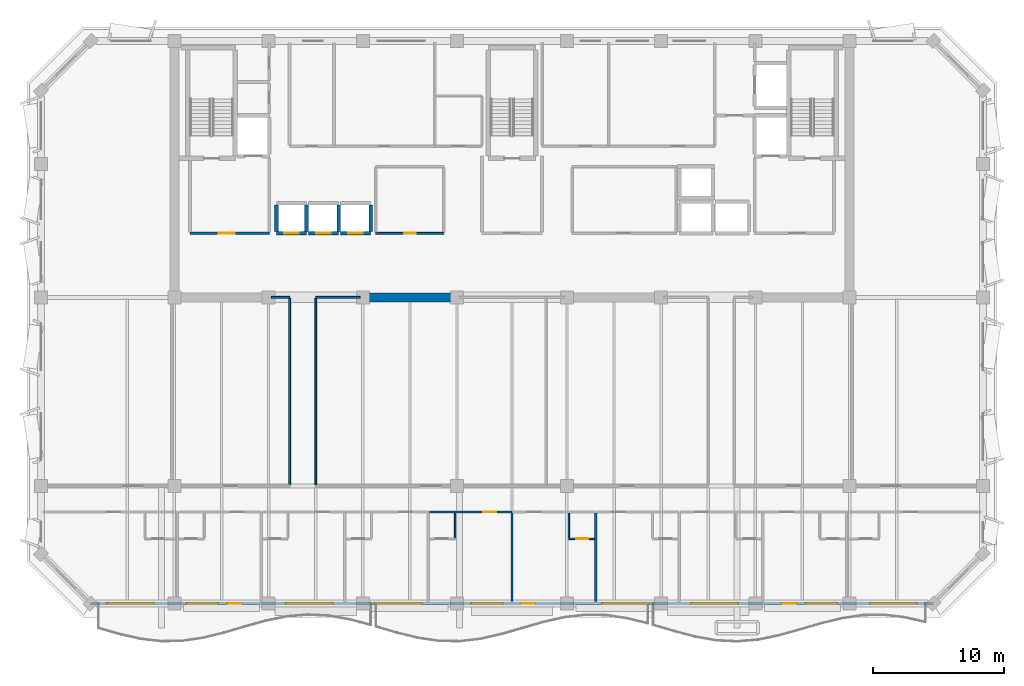
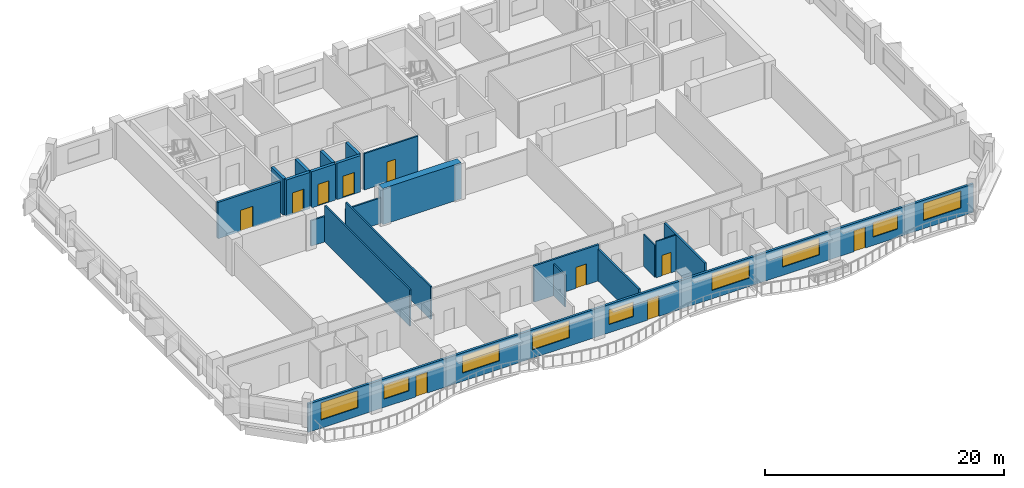
# One storey, part 4 of 11: 21 walls, 10 doors, 9 windows, 19 openings.
"""IFC4 building model written with IfcOpenShell, lengths in metres."""

from ifc_helpers import new_model, si_unit, direction, frame, frame_2d, origin, place, context, subcontext, project, spatial, rectangle, extrude, material, layer, layer_set, type_object, element, fill, save


model = new_model("IFC4")

# Units and contexts
model_context = context("Model", 3, precision=1e-05, world=origin(), true_north=direction((0.0, 1.0)))
body_context = subcontext(model_context, "Body", "Model", "MODEL_VIEW")
ifc_project = project(units=[si_unit("LENGTHUNIT", "METRE"), si_unit("AREAUNIT", "SQUARE_METRE"), si_unit("VOLUMEUNIT", "CUBIC_METRE"), si_unit("PLANEANGLEUNIT", "RADIAN"), si_unit("MASSUNIT", "GRAM", prefix="KILO")], contexts=[model_context])

# Site, building, storey
site_placement = place(None, origin())
site = spatial("IfcSite", under=ifc_project, at=site_placement, CompositionType="ELEMENT")
building_placement = place(site_placement, origin())
building = spatial("IfcBuilding", under=site, at=building_placement, Name="Kaelvorn Grand Hotel", CompositionType="ELEMENT")
storey_placement = place(building_placement, frame((0.0, 0.0, 241.0)))
storey = spatial("IfcBuildingStorey", under=building, at=storey_placement, Name="L59", CompositionType="ELEMENT", Elevation=241.0)

# Wall
ifc_material_1 = material(Name="Concrete C50/60", Category="concrete")
ifc_layer_1 = layer(ifc_material_1, 0.699951171875)
ifc_layer_set_1 = layer_set([ifc_layer_1], Name="Concrete C50/60")
wall_type_1 = type_object("IfcWallType", Name="WL-CORE-700-C50", PredefinedType="SHEAR", material=ifc_layer_set_1)
wall_1_placement = place(storey_placement, frame((30.39990234375, 29.39990234375, 0.0), z_axis=(0.0, 0.0, 1.0), x_axis=(1.0, 0.0, 0.0)))
element("IfcWall", 1, at=wall_1_placement, inside=storey, type_object=wall_type_1, Name="L59 Rear-Core Coupled Shear Pier S2", PredefinedType="SHEAR", context=body_context, shape_type="SweptSolid", body=[
    extrude(rectangle(XDim=7.60009765625, YDim=0.699951171875, at=frame_2d((3.800048828125, 0.0))), origin(), (0.0, 0.0, 1.0), 3.7099609375),
])

# Wall, openings, doors, windows
ifc_material_2 = material(Name="Concrete C40/50", Category="concrete")
ifc_layer_2 = layer(ifc_material_2, 0.219970703125)
ifc_layer_set_2 = layer_set([ifc_layer_2], Name="Concrete C40/50")
wall_type_2 = type_object("IfcWallType", Name="WL-EXT-220-C40", PredefinedType="SOLIDWALL", material=ifc_layer_set_2)
wall_2_placement = place(storey_placement, frame((9.800048828125, 6.0, 0.0), z_axis=(0.0, 0.0, 1.0), x_axis=(1.0, 0.0, 0.0)))
wall_2 = element("IfcWall", 2, at=wall_2_placement, inside=storey, type_object=wall_type_2, Name="L59 Exterior Architectural Concrete Wall 01", PredefinedType="SOLIDWALL", context=body_context, shape_type="SweptSolid", body=[
    extrude(rectangle(XDim=64.39990234375, YDim=0.219970703125, at=frame_2d((32.199951171875, 0.0))), origin(), (0.0, 0.0, 1.0), 2.909912109375),
])
opening_1_placement = place(wall_2_placement, frame((10.449951171875, 0.0, 0.0)))
opening_1 = element("IfcOpeningElement", 3, at=opening_1_placement, cuts=wall_2, Name="Opening DE2", PredefinedType="OPENING", context=body_context, shape_type="SweptSolid", body=[
    extrude(rectangle(XDim=1.10009765625, YDim=2.14990234375, at=frame_2d((0.550048828125, 1.074951171875))), frame((0.0, 0.1201171875, 0.0), z_axis=(0.0, -1.0, 0.0), x_axis=(1.0, 0.0, 0.0)), (0.0, 0.0, 1.0), 0.239990234375),
])
opening_2_placement = place(wall_2_placement, frame((32.85009765625, 0.0, 0.0)))
opening_2 = element("IfcOpeningElement", 4, at=opening_2_placement, cuts=wall_2, Name="Opening DE2", PredefinedType="OPENING", context=body_context, shape_type="SweptSolid", body=[
    extrude(rectangle(XDim=1.10009765625, YDim=2.14990234375, at=frame_2d((0.550048828125, 1.074951171875))), frame((0.0, 0.1201171875, 0.0), z_axis=(0.0, -1.0, 0.0), x_axis=(1.0, 0.0, 0.0)), (0.0, 0.0, 1.0), 0.239990234375),
])
opening_3_placement = place(wall_2_placement, frame((52.85009765625, 0.0, 0.0)))
opening_3 = element("IfcOpeningElement", 5, at=opening_3_placement, cuts=wall_2, Name="Opening DE2", PredefinedType="OPENING", context=body_context, shape_type="SweptSolid", body=[
    extrude(rectangle(XDim=1.10009765625, YDim=2.14990234375, at=frame_2d((0.550048828125, 1.074951171875))), frame((0.0, 0.1201171875, 0.0), z_axis=(0.0, -1.0, 0.0), x_axis=(1.0, 0.0, 0.0)), (0.0, 0.0, 1.0), 0.239990234375),
])
opening_4_placement = place(wall_2_placement, frame((1.235107421875, 0.0, 0.85009765625)))
opening_4 = element("IfcOpeningElement", 6, at=opening_4_placement, cuts=wall_2, Name="Opening W3", PredefinedType="OPENING", context=body_context, shape_type="SweptSolid", body=[
    extrude(rectangle(XDim=3.60009765625, YDim=1.75, at=frame_2d((1.800048828125, 0.875))), frame((0.0, 0.1201171875, 0.0), z_axis=(0.0, -1.0, 0.0), x_axis=(1.0, 0.0, 0.0)), (0.0, 0.0, 1.0), 0.239990234375),
])
opening_5_placement = place(wall_2_placement, frame((7.340087890625, 0.0, 0.85009765625)))
opening_5 = element("IfcOpeningElement", 7, at=opening_5_placement, cuts=wall_2, Name="Opening W6", PredefinedType="OPENING", context=body_context, shape_type="SweptSolid", body=[
    extrude(rectangle(XDim=2.39990234375, YDim=1.5, at=frame_2d((1.199951171875, 0.75))), frame((0.0, 0.1201171875, 0.0), z_axis=(0.0, -1.0, 0.0), x_axis=(1.0, 0.0, 0.0)), (0.0, 0.0, 1.0), 0.239990234375),
])
opening_6_placement = place(wall_2_placement, frame((14.909912109375, 0.0, 0.85009765625)))
opening_6 = element("IfcOpeningElement", 8, at=opening_6_placement, cuts=wall_2, Name="Opening W3", PredefinedType="OPENING", context=body_context, shape_type="SweptSolid", body=[
    extrude(rectangle(XDim=3.60009765625, YDim=1.75, at=frame_2d((1.800048828125, 0.875))), frame((0.0, 0.1201171875, 0.0), z_axis=(0.0, -1.0, 0.0), x_axis=(1.0, 0.0, 0.0)), (0.0, 0.0, 1.0), 0.239990234375),
])
opening_7_placement = place(wall_2_placement, frame((21.705078125, 0.0, 0.85009765625)))
opening_7 = element("IfcOpeningElement", 9, at=opening_7_placement, cuts=wall_2, Name="Opening W3", PredefinedType="OPENING", context=body_context, shape_type="SweptSolid", body=[
    extrude(rectangle(XDim=3.60009765625, YDim=1.75, at=frame_2d((1.800048828125, 0.875))), frame((0.0, 0.1201171875, 0.0), z_axis=(0.0, -1.0, 0.0), x_axis=(1.0, 0.0, 0.0)), (0.0, 0.0, 1.0), 0.239990234375),
])
opening_8_placement = place(wall_2_placement, frame((29.10009765625, 0.0, 0.85009765625)))
opening_8 = element("IfcOpeningElement", 10, at=opening_8_placement, cuts=wall_2, Name="Opening W6", PredefinedType="OPENING", context=body_context, shape_type="SweptSolid", body=[
    extrude(rectangle(XDim=2.39990234375, YDim=1.5, at=frame_2d((1.199951171875, 0.75))), frame((0.0, 0.1201171875, 0.0), z_axis=(0.0, -1.0, 0.0), x_axis=(1.0, 0.0, 0.0)), (0.0, 0.0, 1.0), 0.239990234375),
])
opening_9_placement = place(wall_2_placement, frame((39.094970703125, 0.0, 0.85009765625)))
opening_9 = element("IfcOpeningElement", 11, at=opening_9_placement, cuts=wall_2, Name="Opening W3", PredefinedType="OPENING", context=body_context, shape_type="SweptSolid", body=[
    extrude(rectangle(XDim=3.60009765625, YDim=1.75, at=frame_2d((1.800048828125, 0.875))), frame((0.0, 0.1201171875, 0.0), z_axis=(0.0, -1.0, 0.0), x_axis=(1.0, 0.0, 0.0)), (0.0, 0.0, 1.0), 0.239990234375),
])
opening_10_placement = place(wall_2_placement, frame((45.889892578125, 0.0, 0.85009765625)))
opening_10 = element("IfcOpeningElement", 12, at=opening_10_placement, cuts=wall_2, Name="Opening W3", PredefinedType="OPENING", context=body_context, shape_type="SweptSolid", body=[
    extrude(rectangle(XDim=3.60009765625, YDim=1.75, at=frame_2d((1.800048828125, 0.875))), frame((0.0, 0.1201171875, 0.0), z_axis=(0.0, -1.0, 0.0), x_axis=(1.0, 0.0, 0.0)), (0.0, 0.0, 1.0), 0.239990234375),
])
opening_11_placement = place(wall_2_placement, frame((54.659912109375, 0.0, 0.85009765625)))
opening_11 = element("IfcOpeningElement", 13, at=opening_11_placement, cuts=wall_2, Name="Opening W6", PredefinedType="OPENING", context=body_context, shape_type="SweptSolid", body=[
    extrude(rectangle(XDim=2.39990234375, YDim=1.5, at=frame_2d((1.199951171875, 0.75))), frame((0.0, 0.1201171875, 0.0), z_axis=(0.0, -1.0, 0.0), x_axis=(1.0, 0.0, 0.0)), (0.0, 0.0, 1.0), 0.239990234375),
])
opening_12_placement = place(wall_2_placement, frame((59.56494140625, 0.0, 0.85009765625)))
opening_12 = element("IfcOpeningElement", 14, at=opening_12_placement, cuts=wall_2, Name="Opening W3", PredefinedType="OPENING", context=body_context, shape_type="SweptSolid", body=[
    extrude(rectangle(XDim=3.60009765625, YDim=1.75, at=frame_2d((1.800048828125, 0.875))), frame((0.0, 0.1201171875, 0.0), z_axis=(0.0, -1.0, 0.0), x_axis=(1.0, 0.0, 0.0)), (0.0, 0.0, 1.0), 0.239990234375),
])
ifc_material_3 = material(Name="Anodised Aluminium", Category="aluminium")
door_type_1 = type_object("IfcDoorType", Name="DR-EXT-BALC-1100x2150", OperationType="NOTDEFINED", PredefinedType="DOOR", material=ifc_material_3)
door_1_placement = place(opening_1_placement, origin())
door_1 = element("IfcDoor", 15, at=door_1_placement, inside=storey, type_object=door_type_1, Name="L59 Scalloped Balcony Glazed Door DE2-1", OperationType="SINGLE_SWING_RIGHT", OverallHeight=2.14990234375, OverallWidth=1.10009765625, PredefinedType="DOOR", context=body_context, shape_type="SweptSolid", body=[
    extrude(rectangle(XDim=1.10009765625, YDim=2.14990234375, at=frame_2d((0.550048828125, 1.074951171875))), frame((0.0, 0.02490234375, 0.0), z_axis=(0.0, -1.0, 0.0), x_axis=(1.0, 0.0, 0.0)), (0.0, 0.0, 1.0), 0.050048828125),
])
fill(opening_1, door_1)
door_2_placement = place(opening_2_placement, origin())
door_2 = element("IfcDoor", 16, at=door_2_placement, inside=storey, type_object=door_type_1, Name="L59 Scalloped Balcony Glazed Door DE2-2", OperationType="SINGLE_SWING_LEFT", OverallHeight=2.14990234375, OverallWidth=1.10009765625, PredefinedType="DOOR", context=body_context, shape_type="SweptSolid", body=[
    extrude(rectangle(XDim=1.10009765625, YDim=2.14990234375, at=frame_2d((0.550048828125, 1.074951171875))), frame((0.0, 0.02490234375, 0.0), z_axis=(0.0, -1.0, 0.0), x_axis=(1.0, 0.0, 0.0)), (0.0, 0.0, 1.0), 0.050048828125),
])
fill(opening_2, door_2)
door_3_placement = place(opening_3_placement, origin())
door_3 = element("IfcDoor", 17, at=door_3_placement, inside=storey, type_object=door_type_1, Name="L59 Scalloped Balcony Glazed Door DE2-3", OperationType="SINGLE_SWING_RIGHT", OverallHeight=2.14990234375, OverallWidth=1.10009765625, PredefinedType="DOOR", context=body_context, shape_type="SweptSolid", body=[
    extrude(rectangle(XDim=1.10009765625, YDim=2.14990234375, at=frame_2d((0.550048828125, 1.074951171875))), frame((0.0, 0.02490234375, 0.0), z_axis=(0.0, -1.0, 0.0), x_axis=(1.0, 0.0, 0.0)), (0.0, 0.0, 1.0), 0.050048828125),
])
fill(opening_3, door_3)
ifc_material_4 = material(Name="Laminated Low-E Glass", Category="glass")
window_type_1 = type_object("IfcWindowType", Name="WIN-NTH-2400x1500", PartitioningType="SINGLE_PANEL", PredefinedType="WINDOW", material=ifc_material_4)
window_1_placement = place(opening_5_placement, origin())
window_1 = element("IfcWindow", 18, at=window_1_placement, inside=storey, type_object=window_type_1, Name="L59 South Guestroom Ribbon Window SR02", OverallHeight=1.5, OverallWidth=2.39990234375, PartitioningType="SINGLE_PANEL", PredefinedType="WINDOW", context=body_context, shape_type="SweptSolid", body=[
    extrude(rectangle(XDim=2.39990234375, YDim=1.5, at=frame_2d((1.199951171875, 0.75))), frame((0.0, 0.030029296875, 0.0), z_axis=(0.0, -1.0, 0.0), x_axis=(1.0, 0.0, 0.0)), (0.0, 0.0, 1.0), 0.06005859375),
])
fill(opening_5, window_1)
window_2_placement = place(opening_8_placement, origin())
window_2 = element("IfcWindow", 19, at=window_2_placement, inside=storey, type_object=window_type_1, Name="L59 South Guestroom Ribbon Window SR05", OverallHeight=1.5, OverallWidth=2.39990234375, PartitioningType="SINGLE_PANEL", PredefinedType="WINDOW", context=body_context, shape_type="SweptSolid", body=[
    extrude(rectangle(XDim=2.39990234375, YDim=1.5, at=frame_2d((1.199951171875, 0.75))), frame((0.0, 0.030029296875, 0.0), z_axis=(0.0, -1.0, 0.0), x_axis=(1.0, 0.0, 0.0)), (0.0, 0.0, 1.0), 0.06005859375),
])
fill(opening_8, window_2)
window_3_placement = place(opening_11_placement, origin())
window_3 = element("IfcWindow", 20, at=window_3_placement, inside=storey, type_object=window_type_1, Name="L59 South Guestroom Ribbon Window SR08", OverallHeight=1.5, OverallWidth=2.39990234375, PartitioningType="SINGLE_PANEL", PredefinedType="WINDOW", context=body_context, shape_type="SweptSolid", body=[
    extrude(rectangle(XDim=2.39990234375, YDim=1.5, at=frame_2d((1.199951171875, 0.75))), frame((0.0, 0.030029296875, 0.0), z_axis=(0.0, -1.0, 0.0), x_axis=(1.0, 0.0, 0.0)), (0.0, 0.0, 1.0), 0.06005859375),
])
fill(opening_11, window_3)
window_type_2 = type_object("IfcWindowType", Name="WIN-RIB-3600x1750", PartitioningType="SINGLE_PANEL", PredefinedType="WINDOW", material=ifc_material_4)
window_4_placement = place(opening_4_placement, origin())
window_4 = element("IfcWindow", 21, at=window_4_placement, inside=storey, type_object=window_type_2, Name="L59 South Guestroom Ribbon Window SR01", OverallHeight=1.75, OverallWidth=3.60009765625, PartitioningType="SINGLE_PANEL", PredefinedType="WINDOW", context=body_context, shape_type="SweptSolid", body=[
    extrude(rectangle(XDim=3.60009765625, YDim=1.75, at=frame_2d((1.800048828125, 0.875))), frame((0.0, 0.030029296875, 0.0), z_axis=(0.0, -1.0, 0.0), x_axis=(1.0, 0.0, 0.0)), (0.0, 0.0, 1.0), 0.06005859375),
])
fill(opening_4, window_4)
window_5_placement = place(opening_6_placement, origin())
window_5 = element("IfcWindow", 22, at=window_5_placement, inside=storey, type_object=window_type_2, Name="L59 South Guestroom Ribbon Window SR03", OverallHeight=1.75, OverallWidth=3.60009765625, PartitioningType="SINGLE_PANEL", PredefinedType="WINDOW", context=body_context, shape_type="SweptSolid", body=[
    extrude(rectangle(XDim=3.60009765625, YDim=1.75, at=frame_2d((1.800048828125, 0.875))), frame((0.0, 0.030029296875, 0.0), z_axis=(0.0, -1.0, 0.0), x_axis=(1.0, 0.0, 0.0)), (0.0, 0.0, 1.0), 0.06005859375),
])
fill(opening_6, window_5)
window_6_placement = place(opening_7_placement, origin())
window_6 = element("IfcWindow", 23, at=window_6_placement, inside=storey, type_object=window_type_2, Name="L59 South Guestroom Ribbon Window SR04", OverallHeight=1.75, OverallWidth=3.60009765625, PartitioningType="SINGLE_PANEL", PredefinedType="WINDOW", context=body_context, shape_type="SweptSolid", body=[
    extrude(rectangle(XDim=3.60009765625, YDim=1.75, at=frame_2d((1.800048828125, 0.875))), frame((0.0, 0.030029296875, 0.0), z_axis=(0.0, -1.0, 0.0), x_axis=(1.0, 0.0, 0.0)), (0.0, 0.0, 1.0), 0.06005859375),
])
fill(opening_7, window_6)
window_7_placement = place(opening_9_placement, origin())
window_7 = element("IfcWindow", 24, at=window_7_placement, inside=storey, type_object=window_type_2, Name="L59 South Guestroom Ribbon Window SR06", OverallHeight=1.75, OverallWidth=3.60009765625, PartitioningType="SINGLE_PANEL", PredefinedType="WINDOW", context=body_context, shape_type="SweptSolid", body=[
    extrude(rectangle(XDim=3.60009765625, YDim=1.75, at=frame_2d((1.800048828125, 0.875))), frame((0.0, 0.030029296875, 0.0), z_axis=(0.0, -1.0, 0.0), x_axis=(1.0, 0.0, 0.0)), (0.0, 0.0, 1.0), 0.06005859375),
])
fill(opening_9, window_7)
window_8_placement = place(opening_10_placement, origin())
window_8 = element("IfcWindow", 25, at=window_8_placement, inside=storey, type_object=window_type_2, Name="L59 South Guestroom Ribbon Window SR07", OverallHeight=1.75, OverallWidth=3.60009765625, PartitioningType="SINGLE_PANEL", PredefinedType="WINDOW", context=body_context, shape_type="SweptSolid", body=[
    extrude(rectangle(XDim=3.60009765625, YDim=1.75, at=frame_2d((1.800048828125, 0.875))), frame((0.0, 0.030029296875, 0.0), z_axis=(0.0, -1.0, 0.0), x_axis=(1.0, 0.0, 0.0)), (0.0, 0.0, 1.0), 0.06005859375),
])
fill(opening_10, window_8)
window_9_placement = place(opening_12_placement, origin())
window_9 = element("IfcWindow", 26, at=window_9_placement, inside=storey, type_object=window_type_2, Name="L59 South Guestroom Ribbon Window SR09", OverallHeight=1.75, OverallWidth=3.60009765625, PartitioningType="SINGLE_PANEL", PredefinedType="WINDOW", context=body_context, shape_type="SweptSolid", body=[
    extrude(rectangle(XDim=3.60009765625, YDim=1.75, at=frame_2d((1.800048828125, 0.875))), frame((0.0, 0.030029296875, 0.0), z_axis=(0.0, -1.0, 0.0), x_axis=(1.0, 0.0, 0.0)), (0.0, 0.0, 1.0), 0.06005859375),
])
fill(opening_12, window_9)

# Wall
ifc_material_5 = material(Name="Moisture-Resistant Tile & Stud Board")
ifc_layer_3 = layer(ifc_material_5, 0.125)
ifc_layer_set_3 = layer_set([ifc_layer_3], Name="Moisture-Resistant Tile & Stud Board")
wall_type_3 = type_object("IfcWallType", Name="WL-PART-125-WET", PredefinedType="PARTITIONING", material=ifc_layer_set_3)
wall_3_placement = place(storey_placement, frame((37.64990234375, 11.017578125, 0.0), z_axis=(0.0, 0.0, 1.0), x_axis=(0.0, 1.0, 0.0)))
element("IfcWall", 27, at=wall_3_placement, inside=storey, type_object=wall_type_3, Name="L59 En-suite Bathroom L59-05 E Partition", PredefinedType="PARTITIONING", context=body_context, shape_type="SweptSolid", body=[
    extrude(rectangle(XDim=1.887451171875, YDim=0.125, at=frame_2d((0.94384765625, 0.0))), origin(), (0.0, 0.0, 1.0), 3.260009765625),
])

# Wall, opening, door
wall_4_placement = place(storey_placement, frame((46.35009765625, 10.949951171875, 0.0), z_axis=(0.0, 0.0, 1.0), x_axis=(1.0, 0.0, 0.0)))
wall_4 = element("IfcWall", 28, at=wall_4_placement, inside=storey, type_object=wall_type_3, Name="L59 En-suite Bathroom L59-06 S Partition", PredefinedType="PARTITIONING", context=body_context, shape_type="SweptSolid", body=[
    extrude(rectangle(XDim=1.94482421875, YDim=0.125, at=frame_2d((0.972412109375, 0.0))), origin(), (0.0, 0.0, 1.0), 3.7099609375),
])
opening_13_placement = place(wall_4_placement, frame((0.570068359375, 0.0, 0.0)))
opening_13 = element("IfcOpeningElement", 29, at=opening_13_placement, cuts=wall_4, Name="Opening DI4", PredefinedType="OPENING", context=body_context, shape_type="SweptSolid", body=[
    extrude(rectangle(XDim=0.89990234375, YDim=2.10009765625, at=frame_2d((0.449951171875, 1.050048828125))), frame((0.0, 0.072509765625, 0.0), z_axis=(0.0, -1.0, 0.0), x_axis=(1.0, 0.0, 0.0)), (0.0, 0.0, 1.0), 0.14501953125),
])
ifc_material_6 = material(Name="Timber Veneer Leaf", Category="wood")
door_type_2 = type_object("IfcDoorType", Name="DR-INT-BATH-900x2100", OperationType="NOTDEFINED", PredefinedType="DOOR", material=ifc_material_6)
door_4_placement = place(opening_13_placement, origin())
door_4 = element("IfcDoor", 30, at=door_4_placement, inside=storey, type_object=door_type_2, Name="L59 En-suite Bathroom L59-06 Door", OperationType="SINGLE_SWING_RIGHT", OverallHeight=2.10009765625, OverallWidth=0.89990234375, PredefinedType="DOOR", context=body_context, shape_type="SweptSolid", body=[
    extrude(rectangle(XDim=0.89990234375, YDim=2.10009765625, at=frame_2d((0.449951171875, 1.050048828125))), frame((0.0, 0.02490234375, 0.0), z_axis=(0.0, -1.0, 0.0), x_axis=(1.0, 0.0, 0.0)), (0.0, 0.0, 1.0), 0.050048828125),
])
fill(opening_13, door_4)

# Wall
wall_5_placement = place(storey_placement, frame((46.35009765625, 11.017578125, 0.0), z_axis=(0.0, 0.0, 1.0), x_axis=(0.0, 1.0, 0.0)))
element("IfcWall", 31, at=wall_5_placement, inside=storey, type_object=wall_type_3, Name="L59 En-suite Bathroom L59-06 W Partition", PredefinedType="PARTITIONING", context=body_context, shape_type="SweptSolid", body=[
    extrude(rectangle(XDim=1.887451171875, YDim=0.125, at=frame_2d((0.94384765625, 0.0))), origin(), (0.0, 0.0, 1.0), 3.260009765625),
])

# Wall, opening, door
ifc_material_7 = material(Name="Acoustic Gypsum & Stud Partition")
ifc_layer_4 = layer(ifc_material_7, 0.14990234375)
ifc_layer_set_4 = layer_set([ifc_layer_4], Name="Acoustic Gypsum & Stud Partition")
wall_type_4 = type_object("IfcWallType", Name="WL-PART-150-EI60", PredefinedType="PARTITIONING", material=ifc_layer_set_4)
wall_6_placement = place(storey_placement, frame((31.60009765625, 34.300048828125, 0.0), z_axis=(0.0, 0.0, 1.0), x_axis=(1.0, 0.0, 0.0)))
wall_6 = element("IfcWall", 32, at=wall_6_placement, inside=storey, type_object=wall_type_4, Name="L59 Core Telecoms & BMS Server Room S Partition", PredefinedType="PARTITIONING", context=body_context, shape_type="SweptSolid", body=[
    extrude(rectangle(XDim=5.199951171875, YDim=0.14990234375, at=frame_2d((2.60009765625, 0.0))), origin(), (0.0, 0.0, 1.0), 3.7099609375),
])
opening_14_placement = place(wall_6_placement, frame((2.175048828125, 0.0, 0.0)))
opening_14 = element("IfcOpeningElement", 33, at=opening_14_placement, cuts=wall_6, Name="Opening DI7", PredefinedType="OPENING", context=body_context, shape_type="SweptSolid", body=[
    extrude(rectangle(XDim=0.85009765625, YDim=2.10009765625, at=frame_2d((0.425048828125, 1.050048828125))), frame((0.0, 0.0849609375, 0.0), z_axis=(0.0, -1.0, 0.0), x_axis=(1.0, 0.0, 0.0)), (0.0, 0.0, 1.0), 0.169921875),
])
ifc_material_8 = material(Name="Powder-Coated Steel Leaf", Category="steel")
door_type_3 = type_object("IfcDoorType", Name="DR-INT-RISER-850x2100", OperationType="NOTDEFINED", PredefinedType="DOOR", material=ifc_material_8)
door_5_placement = place(opening_14_placement, origin())
door_5 = element("IfcDoor", 34, at=door_5_placement, inside=storey, type_object=door_type_3, Name="L59 Core Telecoms & BMS Server Room Door", OperationType="SINGLE_SWING_RIGHT", OverallHeight=2.10009765625, OverallWidth=0.85009765625, PredefinedType="DOOR", context=body_context, shape_type="SweptSolid", body=[
    extrude(rectangle(XDim=0.85009765625, YDim=2.10009765625, at=frame_2d((0.425048828125, 1.050048828125))), frame((0.0, 0.02490234375, 0.0), z_axis=(0.0, -1.0, 0.0), x_axis=(1.0, 0.0, 0.0)), (0.0, 0.0, 1.0), 0.050048828125),
])
fill(opening_14, door_5)

# Walls
wall_7_placement = place(storey_placement, frame((23.610107421875, 29.39990234375, 0.0), z_axis=(0.0, 0.0, 1.0), x_axis=(1.0, 0.0, 0.0)))
element("IfcWall", 35, at=wall_7_placement, inside=storey, type_object=wall_type_4, Name="L59 Executive Meeting Boardroom N Partition", PredefinedType="PARTITIONING", context=body_context, shape_type="SweptSolid", body=[
    extrude(rectangle(XDim=1.389892578125, YDim=0.14990234375, at=frame_2d((0.69482421875, 0.0))), origin(), (0.0, 0.0, 1.0), 2.610107421875),
])
wall_8_placement = place(storey_placement, frame((25.0, 15.080078125, 0.0), z_axis=(0.0, 0.0, 1.0), x_axis=(0.0, 1.0, 0.0)))
element("IfcWall", 36, at=wall_8_placement, inside=storey, type_object=wall_type_4, Name="L59 Executive Meeting Boardroom E Partition", PredefinedType="PARTITIONING", context=body_context, shape_type="SweptSolid", body=[
    extrude(rectangle(XDim=14.239990234375, YDim=0.14990234375, at=frame_2d((7.1201171875, 0.0))), origin(), (0.0, 0.0, 1.0), 3.7099609375),
])
wall_9_placement = place(storey_placement, frame((27.0, 29.39990234375, 0.0), z_axis=(0.0, 0.0, 1.0), x_axis=(1.0, 0.0, 0.0)))
element("IfcWall", 37, at=wall_9_placement, inside=storey, type_object=wall_type_4, Name="L59 Guest Butler Kitchen N Partition (1)", PredefinedType="PARTITIONING", context=body_context, shape_type="SweptSolid", body=[
    extrude(rectangle(XDim=3.389892578125, YDim=0.14990234375, at=frame_2d((1.69482421875, 0.0))), origin(), (0.0, 0.0, 1.0), 2.610107421875),
])
wall_10_placement = place(storey_placement, frame((27.0, 15.080078125, 0.0), z_axis=(0.0, 0.0, 1.0), x_axis=(0.0, 1.0, 0.0)))
element("IfcWall", 38, at=wall_10_placement, inside=storey, type_object=wall_type_4, Name="L59 Guest Butler Kitchen W Partition", PredefinedType="PARTITIONING", context=body_context, shape_type="SweptSolid", body=[
    extrude(rectangle(XDim=14.239990234375, YDim=0.14990234375, at=frame_2d((7.1201171875, 0.0))), origin(), (0.0, 0.0, 1.0), 3.35009765625),
])

# Wall, opening, door
ifc_layer_5 = layer(ifc_material_7, 0.179931640625)
ifc_layer_set_5 = layer_set([ifc_layer_5], Name="Acoustic Gypsum & Stud Partition")
wall_type_5 = type_object("IfcWallType", Name="WL-PART-180-EI60", PredefinedType="PARTITIONING", material=ifc_layer_set_5)
wall_11_placement = place(storey_placement, frame((35.705078125, 13.0, 0.0), z_axis=(0.0, 0.0, 1.0), x_axis=(1.0, 0.0, 0.0)))
wall_11 = element("IfcWall", 39, at=wall_11_placement, inside=storey, type_object=wall_type_5, Name="L59 Ambassador Guest Room L59-05 N Partition", PredefinedType="PARTITIONING", context=body_context, shape_type="SweptSolid", body=[
    extrude(rectangle(XDim=6.294921875, YDim=0.179931640625, at=frame_2d((3.1474609375, 0.0))), origin(), (0.0, 0.0, 1.0), 3.7099609375),
])
opening_15_placement = place(wall_11_placement, frame((4.0849609375, 0.0, 0.0)))
opening_15 = element("IfcOpeningElement", 40, at=opening_15_placement, cuts=wall_11, Name="Opening DI3", PredefinedType="OPENING", context=body_context, shape_type="SweptSolid", body=[
    extrude(rectangle(XDim=1.0, YDim=2.14990234375, at=frame_2d((0.5, 1.074951171875))), frame((0.0, 0.10009765625, 0.0), z_axis=(0.0, -1.0, 0.0), x_axis=(1.0, 0.0, 0.0)), (0.0, 0.0, 1.0), 0.199951171875),
])
ifc_material_9 = material(Name="Timber Veneer Fire Leaf", Category="wood")
door_type_4 = type_object("IfcDoorType", Name="DR-INT-GUEST-1000x2150", OperationType="NOTDEFINED", PredefinedType="DOOR", material=ifc_material_9)
door_6_placement = place(opening_15_placement, origin())
door_6 = element("IfcDoor", 41, at=door_6_placement, inside=storey, type_object=door_type_4, Name="L59 Ambassador Guest Room L59-05 Door", OperationType="SINGLE_SWING_LEFT", OverallHeight=2.14990234375, OverallWidth=1.0, PredefinedType="DOOR", context=body_context, shape_type="SweptSolid", body=[
    extrude(rectangle(XDim=1.0, YDim=2.14990234375, at=frame_2d((0.5, 1.074951171875))), frame((0.0, 0.02490234375, 0.0), z_axis=(0.0, -1.0, 0.0), x_axis=(1.0, 0.0, 0.0)), (0.0, 0.0, 1.0), 0.050048828125),
])
fill(opening_15, door_6)

# Walls
wall_12_placement = place(storey_placement, frame((42.0, 6.14990234375, 0.0), z_axis=(0.0, 0.0, 1.0), x_axis=(0.0, 1.0, 0.0)))
element("IfcWall", 42, at=wall_12_placement, inside=storey, type_object=wall_type_5, Name="L59 Ambassador Guest Room L59-05 E Partition", PredefinedType="PARTITIONING", context=body_context, shape_type="SweptSolid", body=[
    extrude(rectangle(XDim=6.755126953125, YDim=0.179931640625, at=frame_2d((3.37744140625, 0.0))), origin(), (0.0, 0.0, 1.0), 3.260009765625),
])
wall_13_placement = place(storey_placement, frame((48.389892578125, 6.14990234375, 0.0), z_axis=(0.0, 0.0, 1.0), x_axis=(0.0, 1.0, 0.0)))
element("IfcWall", 43, at=wall_13_placement, inside=storey, type_object=wall_type_5, Name="L59 Ambassador Guest Room L59-06 E Partition", PredefinedType="PARTITIONING", context=body_context, shape_type="SweptSolid", body=[
    extrude(rectangle(XDim=6.755126953125, YDim=0.179931640625, at=frame_2d((3.37744140625, 0.0))), origin(), (0.0, 0.0, 1.0), 3.7099609375),
])

# Wall, opening, door
ifc_layer_6 = layer(ifc_material_2, 0.219970703125)
ifc_layer_set_6 = layer_set([ifc_layer_6], Name="Concrete C40/50")
wall_type_6 = type_object("IfcWallType", Name="WL-PART-220-EI120", PredefinedType="PARTITIONING", material=ifc_layer_set_6)
wall_14_placement = place(storey_placement, frame((17.39990234375, 34.300048828125, 0.0), z_axis=(0.0, 0.0, 1.0), x_axis=(1.0, 0.0, 0.0)))
wall_14 = element("IfcWall", 44, at=wall_14_placement, inside=storey, type_object=wall_type_6, Name="L59 Firefighting Lift Lobby 1 S Partition", PredefinedType="PARTITIONING", context=body_context, shape_type="SweptSolid", body=[
    extrude(rectangle(XDim=6.050048828125, YDim=0.219970703125, at=frame_2d((3.02490234375, 0.0))), origin(), (0.0, 0.0, 1.0), 3.7099609375),
])
opening_16_placement = place(wall_14_placement, frame((2.199951171875, 0.0, 0.0)))
opening_16 = element("IfcOpeningElement", 45, at=opening_16_placement, cuts=wall_14, Name="Opening DI2", PredefinedType="OPENING", context=body_context, shape_type="SweptSolid", body=[
    extrude(rectangle(XDim=1.199951171875, YDim=2.14990234375, at=frame_2d((0.60009765625, 1.074951171875))), frame((0.0, 0.1201171875, 0.0), z_axis=(0.0, -1.0, 0.0), x_axis=(1.0, 0.0, 0.0)), (0.0, 0.0, 1.0), 0.239990234375),
])
door_type_5 = type_object("IfcDoorType", Name="DR-INT-FFLOB-1200x2150", OperationType="NOTDEFINED", PredefinedType="DOOR", material=ifc_material_9)
door_7_placement = place(opening_16_placement, origin())
door_7 = element("IfcDoor", 46, at=door_7_placement, inside=storey, type_object=door_type_5, Name="L59 Firefighting Lift Lobby 1 Door", OperationType="SINGLE_SWING_RIGHT", OverallHeight=2.14990234375, OverallWidth=1.199951171875, PredefinedType="DOOR", context=body_context, shape_type="SweptSolid", body=[
    extrude(rectangle(XDim=1.199951171875, YDim=2.14990234375, at=frame_2d((0.60009765625, 1.074951171875))), frame((0.0, 0.02490234375, 0.0), z_axis=(0.0, -1.0, 0.0), x_axis=(1.0, 0.0, 0.0)), (0.0, 0.0, 1.0), 0.050048828125),
])
fill(opening_16, door_7)

ifc_layer_7 = layer(ifc_material_1, 0.280029296875)
ifc_layer_set_7 = layer_set([ifc_layer_7], Name="Concrete C50/60")
wall_type_7 = type_object("IfcWallType", Name="WL-SHAFT-280-C50", PredefinedType="SHEAR", material=ifc_layer_set_7)
wall_15_placement = place(storey_placement, frame((24.0, 34.300048828125, 0.0), z_axis=(0.0, 0.0, 1.0), x_axis=(1.0, 0.0, 0.0)))
wall_15 = element("IfcWall", 47, at=wall_15_placement, inside=storey, type_object=wall_type_7, Name="L59 Lift PL-H1 Shaft South Wall", PredefinedType="SHEAR", context=body_context, shape_type="SweptSolid", body=[
    extrude(rectangle(XDim=2.300048828125, YDim=0.280029296875, at=frame_2d((1.14990234375, 0.0))), origin(), (0.0, 0.0, 1.0), 3.7099609375),
])
opening_17_placement = place(wall_15_placement, frame((0.60009765625, 0.0, 0.0)))
opening_17 = element("IfcOpeningElement", 48, at=opening_17_placement, cuts=wall_15, Name="Opening LD-PL-H1", PredefinedType="OPENING", context=body_context, shape_type="SweptSolid", body=[
    extrude(rectangle(XDim=1.10009765625, YDim=2.199951171875, at=frame_2d((0.550048828125, 1.10009765625))), frame((0.0, 0.14990234375, 0.0), z_axis=(0.0, -1.0, 0.0), x_axis=(1.0, 0.0, 0.0)), (0.0, 0.0, 1.0), 0.300048828125),
])
ifc_material_10 = material(Name="Stainless Steel", Category="steel")
door_type_6 = type_object("IfcDoorType", Name="DR-LIFT-PASS-1100x2200", OperationType="DOUBLE_DOOR_SLIDING", PredefinedType="DOOR", material=ifc_material_10)
door_8_placement = place(opening_17_placement, origin())
door_8 = element("IfcDoor", 49, at=door_8_placement, inside=storey, type_object=door_type_6, Name="L59 Lift PL-H1 Sliding Landing Door LD-PL-H1", OperationType="DOUBLE_DOOR_SLIDING", OverallHeight=2.199951171875, OverallWidth=1.10009765625, PredefinedType="DOOR", context=body_context, shape_type="SweptSolid", body=[
    extrude(rectangle(XDim=1.10009765625, YDim=2.199951171875, at=frame_2d((0.550048828125, 1.10009765625))), frame((0.0, 0.02490234375, 0.0), z_axis=(0.0, -1.0, 0.0), x_axis=(1.0, 0.0, 0.0)), (0.0, 0.0, 1.0), 0.050048828125),
])
fill(opening_17, door_8)

# Walls
for number, where, z_axis, x_axis, name in (
    (50, (24.0, 34.445068359375, 0.0), (0.0, 0.0, 1.0), (0.0, 1.0, 0.0), "L59 Lift PL-H1 Shaft West Wall"),
    (51, (26.300048828125, 34.445068359375, 0.0), (0.0, 0.0, 1.0), (0.0, 1.0, 0.0), "L59 Lift PL-H1 Shaft East Wall"),
):
    element("IfcWall", number, at=place(storey_placement, frame(where, z_axis=z_axis, x_axis=x_axis)), inside=storey, type_object=wall_type_7, Name=name, PredefinedType="SHEAR", context=body_context, shape_type="SweptSolid", body=[
        extrude(rectangle(XDim=2.010009765625, YDim=0.280029296875, at=frame_2d((1.0048828125, 0.0))), origin(), (0.0, 0.0, 1.0), 3.7099609375),
    ])

# Wall, opening, door
wall_16_placement = place(storey_placement, frame((26.449951171875, 34.300048828125, 0.0), z_axis=(0.0, 0.0, 1.0), x_axis=(1.0, 0.0, 0.0)))
wall_16 = element("IfcWall", 52, at=wall_16_placement, inside=storey, type_object=wall_type_7, Name="L59 Lift PL-H2 Shaft South Wall", PredefinedType="SHEAR", context=body_context, shape_type="SweptSolid", body=[
    extrude(rectangle(XDim=2.300048828125, YDim=0.280029296875, at=frame_2d((1.14990234375, 0.0))), origin(), (0.0, 0.0, 1.0), 3.7099609375),
])
opening_18_placement = place(wall_16_placement, frame((0.60009765625, 0.0, 0.0)))
opening_18 = element("IfcOpeningElement", 53, at=opening_18_placement, cuts=wall_16, Name="Opening LD-PL-H2", PredefinedType="OPENING", context=body_context, shape_type="SweptSolid", body=[
    extrude(rectangle(XDim=1.10009765625, YDim=2.199951171875, at=frame_2d((0.550048828125, 1.10009765625))), frame((0.0, 0.14990234375, 0.0), z_axis=(0.0, -1.0, 0.0), x_axis=(1.0, 0.0, 0.0)), (0.0, 0.0, 1.0), 0.300048828125),
])
door_9_placement = place(opening_18_placement, origin())
door_9 = element("IfcDoor", 54, at=door_9_placement, inside=storey, type_object=door_type_6, Name="L59 Lift PL-H2 Sliding Landing Door LD-PL-H2", OperationType="DOUBLE_DOOR_SLIDING", OverallHeight=2.199951171875, OverallWidth=1.10009765625, PredefinedType="DOOR", context=body_context, shape_type="SweptSolid", body=[
    extrude(rectangle(XDim=1.10009765625, YDim=2.199951171875, at=frame_2d((0.550048828125, 1.10009765625))), frame((0.0, 0.02490234375, 0.0), z_axis=(0.0, -1.0, 0.0), x_axis=(1.0, 0.0, 0.0)), (0.0, 0.0, 1.0), 0.050048828125),
])
fill(opening_18, door_9)

# Wall
wall_17_placement = place(storey_placement, frame((28.75, 34.445068359375, 0.0), z_axis=(0.0, 0.0, 1.0), x_axis=(0.0, 1.0, 0.0)))
element("IfcWall", 55, at=wall_17_placement, inside=storey, type_object=wall_type_7, Name="L59 Lift PL-H2 Shaft East Wall", PredefinedType="SHEAR", context=body_context, shape_type="SweptSolid", body=[
    extrude(rectangle(XDim=2.010009765625, YDim=0.280029296875, at=frame_2d((1.0048828125, 0.0))), origin(), (0.0, 0.0, 1.0), 3.7099609375),
])

# Wall, opening, door
wall_18_placement = place(storey_placement, frame((28.89990234375, 34.300048828125, 0.0), z_axis=(0.0, 0.0, 1.0), x_axis=(1.0, 0.0, 0.0)))
wall_18 = element("IfcWall", 56, at=wall_18_placement, inside=storey, type_object=wall_type_7, Name="L59 Lift PL-H3 Shaft South Wall", PredefinedType="SHEAR", context=body_context, shape_type="SweptSolid", body=[
    extrude(rectangle(XDim=2.300048828125, YDim=0.280029296875, at=frame_2d((1.14990234375, 0.0))), origin(), (0.0, 0.0, 1.0), 3.7099609375),
])
opening_19_placement = place(wall_18_placement, frame((0.60009765625, 0.0, 0.0)))
opening_19 = element("IfcOpeningElement", 57, at=opening_19_placement, cuts=wall_18, Name="Opening LD-PL-H3", PredefinedType="OPENING", context=body_context, shape_type="SweptSolid", body=[
    extrude(rectangle(XDim=1.10009765625, YDim=2.199951171875, at=frame_2d((0.550048828125, 1.10009765625))), frame((0.0, 0.14990234375, 0.0), z_axis=(0.0, -1.0, 0.0), x_axis=(1.0, 0.0, 0.0)), (0.0, 0.0, 1.0), 0.300048828125),
])
door_10_placement = place(opening_19_placement, origin())
door_10 = element("IfcDoor", 58, at=door_10_placement, inside=storey, type_object=door_type_6, Name="L59 Lift PL-H3 Sliding Landing Door LD-PL-H3", OperationType="DOUBLE_DOOR_SLIDING", OverallHeight=2.199951171875, OverallWidth=1.10009765625, PredefinedType="DOOR", context=body_context, shape_type="SweptSolid", body=[
    extrude(rectangle(XDim=1.10009765625, YDim=2.199951171875, at=frame_2d((0.550048828125, 1.10009765625))), frame((0.0, 0.02490234375, 0.0), z_axis=(0.0, -1.0, 0.0), x_axis=(1.0, 0.0, 0.0)), (0.0, 0.0, 1.0), 0.050048828125),
])
fill(opening_19, door_10)

# Wall
wall_19_placement = place(storey_placement, frame((31.199951171875, 34.445068359375, 0.0), z_axis=(0.0, 0.0, 1.0), x_axis=(0.0, 1.0, 0.0)))
element("IfcWall", 59, at=wall_19_placement, inside=storey, type_object=wall_type_7, Name="L59 Lift PL-H3 Shaft East Wall", PredefinedType="SHEAR", context=body_context, shape_type="SweptSolid", body=[
    extrude(rectangle(XDim=2.010009765625, YDim=0.280029296875, at=frame_2d((1.0048828125, 0.0))), origin(), (0.0, 0.0, 1.0), 3.7099609375),
])

save(model, "model.ifc")
